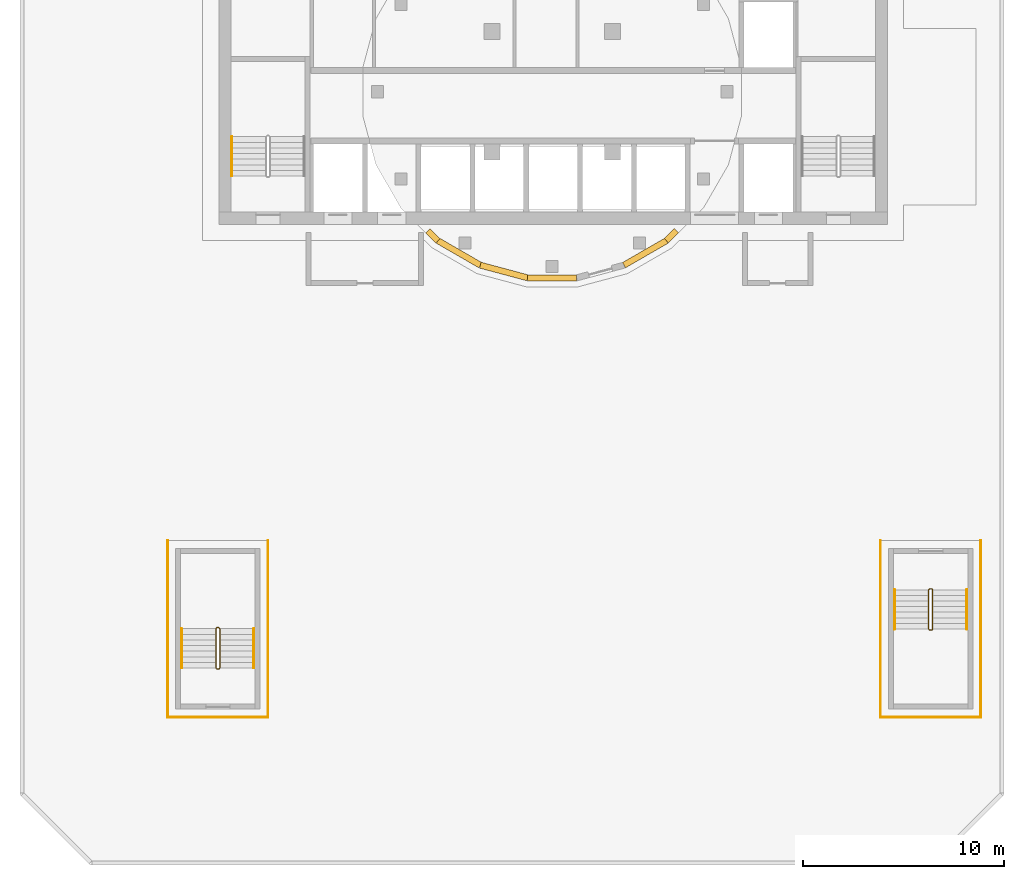
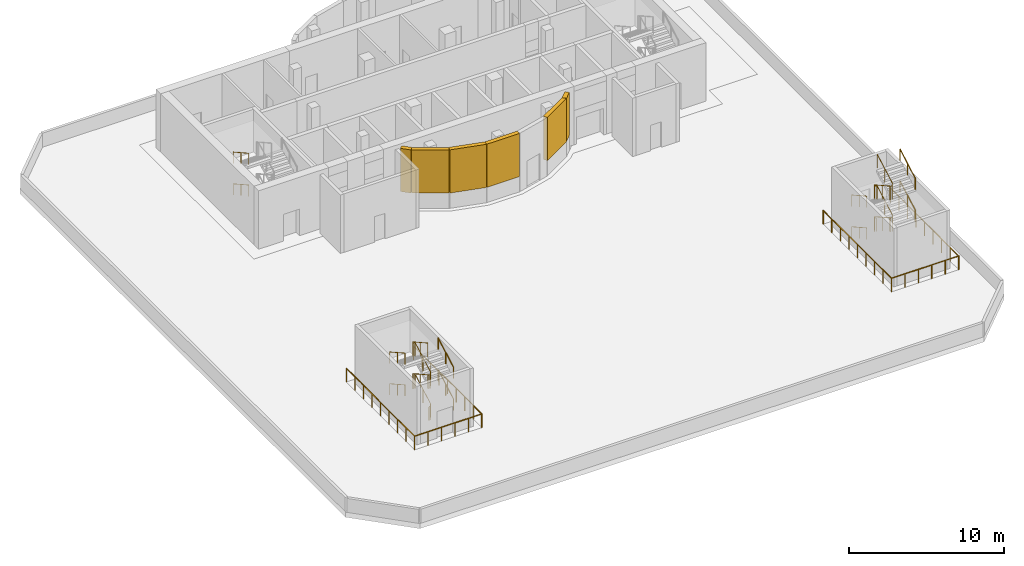
# One storey, part 6 of 7: 18 railings, 6 shading devices.
"""IFC4 building model written with IfcOpenShell, lengths in metres."""

from ifc_helpers import new_model, si_unit, direction, frame, origin, origin_2d, place, context, subcontext, project, spatial, rectangle, circle, extrude, source, transform, mapped, material, type_object, element, save


model = new_model("IFC4")

# Units and contexts
model_context = context("Model", 3, precision=1e-05, world=origin(), true_north=direction((0.0, 1.0)))
body_context = subcontext(model_context, "Body", "Model", "MODEL_VIEW")
ifc_project = project(units=[si_unit("LENGTHUNIT", "METRE"), si_unit("AREAUNIT", "SQUARE_METRE"), si_unit("VOLUMEUNIT", "CUBIC_METRE"), si_unit("PLANEANGLEUNIT", "RADIAN"), si_unit("MASSUNIT", "GRAM", prefix="KILO")], contexts=[model_context])

# Site, building, storey
site_placement = place(None, origin())
site = spatial("IfcSite", under=ifc_project, at=site_placement, CompositionType="ELEMENT")
building_placement = place(site_placement, origin())
building = spatial("IfcBuilding", under=site, at=building_placement, Name="Kilnfold Tower and Market Hall", CompositionType="ELEMENT")
storey_placement = place(building_placement, frame((0.0, 0.0, 318.800048828125)))
storey = spatial("IfcBuildingStorey", under=building, at=storey_placement, Name="L80 Crown Plant", CompositionType="ELEMENT", Elevation=318.800048828125)

# Railings
ifc_material_1 = material(Name="Stainless steel 316", Category="steel")
railing_type_1 = type_object("IfcRailingType", Name="CORE STAIR GUARD 1100", PredefinedType="GUARDRAIL", material=ifc_material_1)
railing_1_placement = place(storey_placement, frame((-15.699951171875, -13.75, 0.0)))
element("IfcRailing", 1, at=railing_1_placement, inside=storey, type_object=railing_type_1, Name="L80 Crown Plant ST3 stair guard 1", PredefinedType="GUARDRAIL", context=body_context, shape_type="SweptSolid", body=[
    extrude(circle(Radius=0.02392578125, at=origin_2d()), frame((0.0, 0.0, 1.076171875), z_axis=(1.0, 0.0, 0.0), x_axis=(0.0, 1.0, 0.0)), (0.0, 0.0, 1.0), 0.099853515625),
    extrude(circle(Radius=0.02392578125, at=origin_2d()), frame((0.099853515625, 0.0, 1.076171875), z_axis=(0.29177245553, 0.29177245553, 0.91089937336), x_axis=(-0.707106781187, 0.707106781187, 0.0)), (0.0, 0.0, 1.0), 0.171630859375),
    extrude(circle(Radius=0.02392578125, at=origin_2d()), frame((0.14990234375, 0.050048828125, 1.232421875), z_axis=(0.0, 0.873232148454, 0.487304437602), x_axis=(-1.0, 0.0, 0.0)), (0.0, 0.0, 1.0), 2.244384765625),
    extrude(circle(Radius=0.02392578125, at=origin_2d()), frame((0.14990234375, 2.010009765625, 2.326171875), z_axis=(-0.707106781187, 0.707106781187, 0.0), x_axis=(-0.707106781187, -0.707106781187, 0.0)), (0.0, 0.0, 1.0), 0.07080078125),
    extrude(circle(Radius=0.02392578125, at=origin_2d()), frame((0.099853515625, 2.06005859375, 2.326171875), z_axis=(-1.0, 0.0, 0.0), x_axis=(0.0, -1.0, 0.0)), (0.0, 0.0, 1.0), 0.099853515625),
    extrude(circle(Radius=0.02392578125, at=origin_2d()), frame((0.0, 2.06005859375, 2.326171875), z_axis=(-0.29177245553, -0.29177245553, 0.91089937336), x_axis=(0.707106781187, -0.707106781187, 0.0)), (0.0, 0.0, 1.0), 0.171630859375),
    extrude(circle(Radius=0.02392578125, at=origin_2d()), frame((-0.050048828125, 2.010009765625, 2.482421875), z_axis=(0.0, -0.873232148454, 0.487304437602), x_axis=(1.0, 0.0, 0.0)), (0.0, 0.0, 1.0), 2.244384765625),
    extrude(circle(Radius=0.02392578125, at=origin_2d()), frame((-0.050048828125, 0.050048828125, 3.576171875), z_axis=(0.707106781187, -0.707106781187, 0.0), x_axis=(0.707106781187, 0.707106781187, 0.0)), (0.0, 0.0, 1.0), 0.07080078125),
    extrude(circle(Radius=0.02392578125, at=origin_2d()), frame((0.0, 0.0, 3.576171875), z_axis=(1.0, 0.0, 0.0), x_axis=(0.0, 1.0, 0.0)), (0.0, 0.0, 1.0), 0.099853515625),
    extrude(circle(Radius=0.02392578125, at=origin_2d()), frame((0.099853515625, 0.0, 3.576171875), z_axis=(0.29177245553, 0.29177245553, 0.91089937336), x_axis=(-0.707106781187, 0.707106781187, 0.0)), (0.0, 0.0, 1.0), 0.171630859375),
    extrude(circle(Radius=0.02392578125, at=origin_2d()), frame((0.14990234375, 0.050048828125, 3.732421875), z_axis=(0.0, 0.873232148454, 0.487304437602), x_axis=(-1.0, 0.0, 0.0)), (0.0, 0.0, 1.0), 2.244384765625),
    extrude(circle(Radius=0.02392578125, at=origin_2d()), frame((0.14990234375, 2.010009765625, 4.826171875), z_axis=(-0.707106781187, 0.707106781187, 0.0), x_axis=(-0.707106781187, -0.707106781187, 0.0)), (0.0, 0.0, 1.0), 0.07080078125),
    extrude(circle(Radius=0.02392578125, at=origin_2d()), frame((0.099853515625, 2.06005859375, 4.826171875), z_axis=(-1.0, 0.0, 0.0), x_axis=(0.0, -1.0, 0.0)), (0.0, 0.0, 1.0), 0.099853515625),
    extrude(circle(Radius=0.02392578125, at=origin_2d()), frame((0.0, 2.06005859375, 4.826171875), z_axis=(-0.29177245553, -0.29177245553, 0.91089937336), x_axis=(0.707106781187, -0.707106781187, 0.0)), (0.0, 0.0, 1.0), 0.171630859375),
    extrude(circle(Radius=0.02392578125, at=origin_2d()), frame((-0.050048828125, 2.010009765625, 4.982421875), z_axis=(0.0, -0.873232148454, 0.487304437602), x_axis=(1.0, 0.0, 0.0)), (0.0, 0.0, 1.0), 2.244384765625),
    extrude(circle(Radius=0.02099609375, at=origin_2d()), origin(), (0.0, 0.0, 1.0), 1.052001953125),
    extrude(circle(Radius=0.02099609375, at=origin_2d()), frame((0.099853515625, 0.0, 0.0)), (0.0, 0.0, 1.0), 1.052001953125),
    extrude(circle(Radius=0.02099609375, at=origin_2d()), frame((0.14990234375, 0.050048828125, 0.15625)), (0.0, 0.0, 1.0), 1.052001953125),
    extrude(circle(Radius=0.02099609375, at=origin_2d()), frame((0.14990234375, 1.030029296875, 0.703125)), (0.0, 0.0, 1.0), 1.052001953125),
    extrude(circle(Radius=0.02099609375, at=origin_2d()), frame((0.14990234375, 2.010009765625, 1.25)), (0.0, 0.0, 1.0), 1.052001953125),
    extrude(circle(Radius=0.02099609375, at=origin_2d()), frame((0.099853515625, 2.06005859375, 1.25)), (0.0, 0.0, 1.0), 1.052001953125),
    extrude(circle(Radius=0.02099609375, at=origin_2d()), frame((0.0, 2.06005859375, 1.25)), (0.0, 0.0, 1.0), 1.052001953125),
    extrude(circle(Radius=0.02099609375, at=origin_2d()), frame((-0.050048828125, 2.010009765625, 1.40625)), (0.0, 0.0, 1.0), 1.052001953125),
    extrude(circle(Radius=0.02099609375, at=origin_2d()), frame((-0.050048828125, 1.030029296875, 1.953125)), (0.0, 0.0, 1.0), 1.052001953125),
    extrude(circle(Radius=0.02099609375, at=origin_2d()), frame((-0.050048828125, 0.050048828125, 2.5)), (0.0, 0.0, 1.0), 1.052001953125),
    extrude(circle(Radius=0.02099609375, at=origin_2d()), frame((0.0, 0.0, 2.5)), (0.0, 0.0, 1.0), 1.052001953125),
    extrude(circle(Radius=0.02099609375, at=origin_2d()), frame((0.099853515625, 0.0, 2.5)), (0.0, 0.0, 1.0), 1.052001953125),
    extrude(circle(Radius=0.02099609375, at=origin_2d()), frame((0.14990234375, 0.050048828125, 2.65625)), (0.0, 0.0, 1.0), 1.052001953125),
    extrude(circle(Radius=0.02099609375, at=origin_2d()), frame((0.14990234375, 1.030029296875, 3.203125)), (0.0, 0.0, 1.0), 1.052001953125),
    extrude(circle(Radius=0.02099609375, at=origin_2d()), frame((0.14990234375, 2.010009765625, 3.75)), (0.0, 0.0, 1.0), 1.052001953125),
    extrude(circle(Radius=0.02099609375, at=origin_2d()), frame((0.099853515625, 2.06005859375, 3.75)), (0.0, 0.0, 1.0), 1.052001953125),
    extrude(circle(Radius=0.02099609375, at=origin_2d()), frame((0.0, 2.06005859375, 3.75)), (0.0, 0.0, 1.0), 1.052001953125),
    extrude(circle(Radius=0.02099609375, at=origin_2d()), frame((-0.050048828125, 2.010009765625, 3.90625)), (0.0, 0.0, 1.0), 1.052001953125),
    extrude(circle(Radius=0.02099609375, at=origin_2d()), frame((-0.050048828125, 1.030029296875, 4.453125)), (0.0, 0.0, 1.0), 1.052001953125),
    extrude(circle(Radius=0.02099609375, at=origin_2d()), frame((-0.050048828125, 0.050048828125, 5.0)), (0.0, 0.0, 1.0), 1.052001953125),
])
railing_2_placement = place(storey_placement, frame((19.89990234375, -9.75, 0.0)))
element("IfcRailing", 2, at=railing_2_placement, inside=storey, type_object=railing_type_1, Name="L80 Crown Plant ST4 stair guard 1", PredefinedType="GUARDRAIL", context=body_context, shape_type="SweptSolid", body=[
    extrude(circle(Radius=0.02392578125, at=origin_2d()), frame((0.0, 0.0, 1.076171875), z_axis=(-1.0, 0.0, 0.0), x_axis=(0.0, -1.0, 0.0)), (0.0, 0.0, 1.0), 0.099853515625),
    extrude(circle(Radius=0.02392578125, at=origin_2d()), frame((-0.099853515625, 0.0, 1.076171875), z_axis=(-0.29177245553, -0.29177245553, 0.91089937336), x_axis=(0.707106781187, -0.707106781187, 0.0)), (0.0, 0.0, 1.0), 0.171630859375),
    extrude(circle(Radius=0.02392578125, at=origin_2d()), frame((-0.14990234375, -0.050048828125, 1.232421875), z_axis=(0.0, -0.873232148454, 0.487304437602), x_axis=(1.0, 0.0, 0.0)), (0.0, 0.0, 1.0), 2.244384765625),
    extrude(circle(Radius=0.02392578125, at=origin_2d()), frame((-0.14990234375, -2.010009765625, 2.326171875), z_axis=(0.707106781187, -0.707106781187, 0.0), x_axis=(0.707106781187, 0.707106781187, 0.0)), (0.0, 0.0, 1.0), 0.07080078125),
    extrude(circle(Radius=0.02392578125, at=origin_2d()), frame((-0.099853515625, -2.06005859375, 2.326171875), z_axis=(1.0, 0.0, 0.0), x_axis=(0.0, 1.0, 0.0)), (0.0, 0.0, 1.0), 0.099853515625),
    extrude(circle(Radius=0.02392578125, at=origin_2d()), frame((0.0, -2.06005859375, 2.326171875), z_axis=(0.29177245553, 0.29177245553, 0.91089937336), x_axis=(-0.707106781187, 0.707106781187, 0.0)), (0.0, 0.0, 1.0), 0.171630859375),
    extrude(circle(Radius=0.02392578125, at=origin_2d()), frame((0.050048828125, -2.010009765625, 2.482421875), z_axis=(0.0, 0.873232148454, 0.487304437602), x_axis=(-1.0, 0.0, 0.0)), (0.0, 0.0, 1.0), 2.244384765625),
    extrude(circle(Radius=0.02392578125, at=origin_2d()), frame((0.050048828125, -0.050048828125, 3.576171875), z_axis=(-0.707106781187, 0.707106781187, 0.0), x_axis=(-0.707106781187, -0.707106781187, 0.0)), (0.0, 0.0, 1.0), 0.07080078125),
    extrude(circle(Radius=0.02392578125, at=origin_2d()), frame((0.0, 0.0, 3.576171875), z_axis=(-1.0, 0.0, 0.0), x_axis=(0.0, -1.0, 0.0)), (0.0, 0.0, 1.0), 0.099853515625),
    extrude(circle(Radius=0.02392578125, at=origin_2d()), frame((-0.099853515625, 0.0, 3.576171875), z_axis=(-0.29177245553, -0.29177245553, 0.91089937336), x_axis=(0.707106781187, -0.707106781187, 0.0)), (0.0, 0.0, 1.0), 0.171630859375),
    extrude(circle(Radius=0.02392578125, at=origin_2d()), frame((-0.14990234375, -0.050048828125, 3.732421875), z_axis=(0.0, -0.873232148454, 0.487304437602), x_axis=(1.0, 0.0, 0.0)), (0.0, 0.0, 1.0), 2.244384765625),
    extrude(circle(Radius=0.02392578125, at=origin_2d()), frame((-0.14990234375, -2.010009765625, 4.826171875), z_axis=(0.707106781187, -0.707106781187, 0.0), x_axis=(0.707106781187, 0.707106781187, 0.0)), (0.0, 0.0, 1.0), 0.07080078125),
    extrude(circle(Radius=0.02392578125, at=origin_2d()), frame((-0.099853515625, -2.06005859375, 4.826171875), z_axis=(1.0, 0.0, 0.0), x_axis=(0.0, 1.0, 0.0)), (0.0, 0.0, 1.0), 0.099853515625),
    extrude(circle(Radius=0.02392578125, at=origin_2d()), frame((0.0, -2.06005859375, 4.826171875), z_axis=(0.29177245553, 0.29177245553, 0.91089937336), x_axis=(-0.707106781187, 0.707106781187, 0.0)), (0.0, 0.0, 1.0), 0.171630859375),
    extrude(circle(Radius=0.02392578125, at=origin_2d()), frame((0.050048828125, -2.010009765625, 4.982421875), z_axis=(0.0, 0.873232148454, 0.487304437602), x_axis=(-1.0, 0.0, 0.0)), (0.0, 0.0, 1.0), 2.244384765625),
    extrude(circle(Radius=0.02099609375, at=origin_2d()), origin(), (0.0, 0.0, 1.0), 1.052001953125),
    extrude(circle(Radius=0.02099609375, at=origin_2d()), frame((-0.099853515625, 0.0, 0.0)), (0.0, 0.0, 1.0), 1.052001953125),
    extrude(circle(Radius=0.02099609375, at=origin_2d()), frame((-0.14990234375, -0.050048828125, 0.15625)), (0.0, 0.0, 1.0), 1.052001953125),
    extrude(circle(Radius=0.02099609375, at=origin_2d()), frame((-0.14990234375, -1.030029296875, 0.703125)), (0.0, 0.0, 1.0), 1.052001953125),
    extrude(circle(Radius=0.02099609375, at=origin_2d()), frame((-0.14990234375, -2.010009765625, 1.25)), (0.0, 0.0, 1.0), 1.052001953125),
    extrude(circle(Radius=0.02099609375, at=origin_2d()), frame((-0.099853515625, -2.06005859375, 1.25)), (0.0, 0.0, 1.0), 1.052001953125),
    extrude(circle(Radius=0.02099609375, at=origin_2d()), frame((0.0, -2.06005859375, 1.25)), (0.0, 0.0, 1.0), 1.052001953125),
    extrude(circle(Radius=0.02099609375, at=origin_2d()), frame((0.050048828125, -2.010009765625, 1.40625)), (0.0, 0.0, 1.0), 1.052001953125),
    extrude(circle(Radius=0.02099609375, at=origin_2d()), frame((0.050048828125, -1.030029296875, 1.953125)), (0.0, 0.0, 1.0), 1.052001953125),
    extrude(circle(Radius=0.02099609375, at=origin_2d()), frame((0.050048828125, -0.050048828125, 2.5)), (0.0, 0.0, 1.0), 1.052001953125),
    extrude(circle(Radius=0.02099609375, at=origin_2d()), frame((0.0, 0.0, 2.5)), (0.0, 0.0, 1.0), 1.052001953125),
    extrude(circle(Radius=0.02099609375, at=origin_2d()), frame((-0.099853515625, 0.0, 2.5)), (0.0, 0.0, 1.0), 1.052001953125),
    extrude(circle(Radius=0.02099609375, at=origin_2d()), frame((-0.14990234375, -0.050048828125, 2.65625)), (0.0, 0.0, 1.0), 1.052001953125),
    extrude(circle(Radius=0.02099609375, at=origin_2d()), frame((-0.14990234375, -1.030029296875, 3.203125)), (0.0, 0.0, 1.0), 1.052001953125),
    extrude(circle(Radius=0.02099609375, at=origin_2d()), frame((-0.14990234375, -2.010009765625, 3.75)), (0.0, 0.0, 1.0), 1.052001953125),
    extrude(circle(Radius=0.02099609375, at=origin_2d()), frame((-0.099853515625, -2.06005859375, 3.75)), (0.0, 0.0, 1.0), 1.052001953125),
    extrude(circle(Radius=0.02099609375, at=origin_2d()), frame((0.0, -2.06005859375, 3.75)), (0.0, 0.0, 1.0), 1.052001953125),
    extrude(circle(Radius=0.02099609375, at=origin_2d()), frame((0.050048828125, -2.010009765625, 3.90625)), (0.0, 0.0, 1.0), 1.052001953125),
    extrude(circle(Radius=0.02099609375, at=origin_2d()), frame((0.050048828125, -1.030029296875, 4.453125)), (0.0, 0.0, 1.0), 1.052001953125),
    extrude(circle(Radius=0.02099609375, at=origin_2d()), frame((0.050048828125, -0.050048828125, 5.0)), (0.0, 0.0, 1.0), 1.052001953125),
])
ifc_material_2 = material(Name="Stainless steel 316", Category="steel")
railing_type_2 = type_object("IfcRailingType", Name="CORE STAIR HANDRAIL 900", PredefinedType="HANDRAIL", material=ifc_material_2)
for number, where, name in (
    (3, (-14.949951171875, 12.760009765625, 1.40625), "L80 Crown Plant ST1 stair handrail 2"),
    (4, (-14.949951171875, 12.760009765625, 3.90625), "L80 Crown Plant ST1 stair handrail 4"),
):
    element("IfcRailing", number, at=place(storey_placement, frame(where)), inside=storey, type_object=railing_type_2, Name=name, PredefinedType="HANDRAIL", context=body_context, shape_type="SweptSolid", body=[
        extrude(circle(Radius=0.02392578125, at=origin_2d()), frame((0.0, 0.0, 0.8759765625), z_axis=(0.0, -0.873232148454, 0.487304437602), x_axis=(1.0, 0.0, 0.0)), (0.0, 0.0, 1.0), 2.244384765625),
        extrude(circle(Radius=0.02099609375, at=origin_2d()), origin(), (0.0, 0.0, 1.0), 0.851806640625),
        extrude(circle(Radius=0.02099609375, at=origin_2d()), frame((0.0, -0.97998046875, 0.546875)), (0.0, 0.0, 1.0), 0.851806640625),
        extrude(circle(Radius=0.02099609375, at=origin_2d()), frame((0.0, -1.9599609375, 1.09375)), (0.0, 0.0, 1.0), 0.851806640625),
    ])
railing_3_placement = place(storey_placement, frame((-13.85009765625, -13.699951171875, 0.15625)))
element("IfcRailing", 5, at=railing_3_placement, inside=storey, type_object=railing_type_2, Name="L80 Crown Plant ST3 stair handrail 1", PredefinedType="HANDRAIL", context=body_context, shape_type="SweptSolid", body=[
    extrude(circle(Radius=0.02392578125, at=origin_2d()), frame((0.0, 0.0, 0.8759765625), z_axis=(0.0, 0.873232148454, 0.487304437602), x_axis=(-1.0, 0.0, 0.0)), (0.0, 0.0, 1.0), 2.244384765625),
    extrude(circle(Radius=0.02099609375, at=origin_2d()), origin(), (0.0, 0.0, 1.0), 0.851806640625),
    extrude(circle(Radius=0.02099609375, at=origin_2d()), frame((0.0, 0.97998046875, 0.546875)), (0.0, 0.0, 1.0), 0.851806640625),
    extrude(circle(Radius=0.02099609375, at=origin_2d()), frame((0.0, 1.9599609375, 1.09375)), (0.0, 0.0, 1.0), 0.851806640625),
])
railing_4_placement = place(storey_placement, frame((-17.449951171875, -11.739990234375, 1.40625)))
element("IfcRailing", 6, at=railing_4_placement, inside=storey, type_object=railing_type_2, Name="L80 Crown Plant ST3 stair handrail 2", PredefinedType="HANDRAIL", context=body_context, shape_type="SweptSolid", body=[
    extrude(circle(Radius=0.02392578125, at=origin_2d()), frame((0.0, 0.0, 0.8759765625), z_axis=(0.0, -0.873232148454, 0.487304437602), x_axis=(1.0, 0.0, 0.0)), (0.0, 0.0, 1.0), 2.244384765625),
    extrude(circle(Radius=0.02099609375, at=origin_2d()), origin(), (0.0, 0.0, 1.0), 0.851806640625),
    extrude(circle(Radius=0.02099609375, at=origin_2d()), frame((0.0, -0.97998046875, 0.546875)), (0.0, 0.0, 1.0), 0.851806640625),
    extrude(circle(Radius=0.02099609375, at=origin_2d()), frame((0.0, -1.9599609375, 1.09375)), (0.0, 0.0, 1.0), 0.851806640625),
])
railing_5_placement = place(storey_placement, frame((-13.85009765625, -13.699951171875, 2.65625)))
element("IfcRailing", 7, at=railing_5_placement, inside=storey, type_object=railing_type_2, Name="L80 Crown Plant ST3 stair handrail 3", PredefinedType="HANDRAIL", context=body_context, shape_type="SweptSolid", body=[
    extrude(circle(Radius=0.02392578125, at=origin_2d()), frame((0.0, 0.0, 0.8759765625), z_axis=(0.0, 0.873232148454, 0.487304437602), x_axis=(-1.0, 0.0, 0.0)), (0.0, 0.0, 1.0), 2.244384765625),
    extrude(circle(Radius=0.02099609375, at=origin_2d()), origin(), (0.0, 0.0, 1.0), 0.851806640625),
    extrude(circle(Radius=0.02099609375, at=origin_2d()), frame((0.0, 0.97998046875, 0.546875)), (0.0, 0.0, 1.0), 0.851806640625),
    extrude(circle(Radius=0.02099609375, at=origin_2d()), frame((0.0, 1.9599609375, 1.09375)), (0.0, 0.0, 1.0), 0.851806640625),
])
for number, where, name in (
    (8, (-17.449951171875, -11.739990234375, 3.90625), "L80 Crown Plant ST3 stair handrail 4"),
    (9, (18.050048828125, -9.800048828125, 0.15625), "L80 Crown Plant ST4 stair handrail 1"),
):
    element("IfcRailing", number, at=place(storey_placement, frame(where)), inside=storey, type_object=railing_type_2, Name=name, PredefinedType="HANDRAIL", context=body_context, shape_type="SweptSolid", body=[
        extrude(circle(Radius=0.02392578125, at=origin_2d()), frame((0.0, 0.0, 0.8759765625), z_axis=(0.0, -0.873232148454, 0.487304437602), x_axis=(1.0, 0.0, 0.0)), (0.0, 0.0, 1.0), 2.244384765625),
        extrude(circle(Radius=0.02099609375, at=origin_2d()), origin(), (0.0, 0.0, 1.0), 0.851806640625),
        extrude(circle(Radius=0.02099609375, at=origin_2d()), frame((0.0, -0.97998046875, 0.546875)), (0.0, 0.0, 1.0), 0.851806640625),
        extrude(circle(Radius=0.02099609375, at=origin_2d()), frame((0.0, -1.9599609375, 1.09375)), (0.0, 0.0, 1.0), 0.851806640625),
    ])
railing_6_placement = place(storey_placement, frame((21.64990234375, -11.760009765625, 1.40625)))
element("IfcRailing", 10, at=railing_6_placement, inside=storey, type_object=railing_type_2, Name="L80 Crown Plant ST4 stair handrail 2", PredefinedType="HANDRAIL", context=body_context, shape_type="SweptSolid", body=[
    extrude(circle(Radius=0.02392578125, at=origin_2d()), frame((0.0, 0.0, 0.8759765625), z_axis=(0.0, 0.873232148454, 0.487304437602), x_axis=(-1.0, 0.0, 0.0)), (0.0, 0.0, 1.0), 2.244384765625),
    extrude(circle(Radius=0.02099609375, at=origin_2d()), origin(), (0.0, 0.0, 1.0), 0.851806640625),
    extrude(circle(Radius=0.02099609375, at=origin_2d()), frame((0.0, 0.97998046875, 0.546875)), (0.0, 0.0, 1.0), 0.851806640625),
    extrude(circle(Radius=0.02099609375, at=origin_2d()), frame((0.0, 1.9599609375, 1.09375)), (0.0, 0.0, 1.0), 0.851806640625),
])
railing_7_placement = place(storey_placement, frame((18.050048828125, -9.800048828125, 2.65625)))
element("IfcRailing", 11, at=railing_7_placement, inside=storey, type_object=railing_type_2, Name="L80 Crown Plant ST4 stair handrail 3", PredefinedType="HANDRAIL", context=body_context, shape_type="SweptSolid", body=[
    extrude(circle(Radius=0.02392578125, at=origin_2d()), frame((0.0, 0.0, 0.8759765625), z_axis=(0.0, -0.873232148454, 0.487304437602), x_axis=(1.0, 0.0, 0.0)), (0.0, 0.0, 1.0), 2.244384765625),
    extrude(circle(Radius=0.02099609375, at=origin_2d()), origin(), (0.0, 0.0, 1.0), 0.851806640625),
    extrude(circle(Radius=0.02099609375, at=origin_2d()), frame((0.0, -0.97998046875, 0.546875)), (0.0, 0.0, 1.0), 0.851806640625),
    extrude(circle(Radius=0.02099609375, at=origin_2d()), frame((0.0, -1.9599609375, 1.09375)), (0.0, 0.0, 1.0), 0.851806640625),
])
railing_8_placement = place(storey_placement, frame((21.64990234375, -11.760009765625, 3.90625)))
element("IfcRailing", 12, at=railing_8_placement, inside=storey, type_object=railing_type_2, Name="L80 Crown Plant ST4 stair handrail 4", PredefinedType="HANDRAIL", context=body_context, shape_type="SweptSolid", body=[
    extrude(circle(Radius=0.02392578125, at=origin_2d()), frame((0.0, 0.0, 0.8759765625), z_axis=(0.0, 0.873232148454, 0.487304437602), x_axis=(-1.0, 0.0, 0.0)), (0.0, 0.0, 1.0), 2.244384765625),
    extrude(circle(Radius=0.02099609375, at=origin_2d()), origin(), (0.0, 0.0, 1.0), 0.851806640625),
    extrude(circle(Radius=0.02099609375, at=origin_2d()), frame((0.0, 0.97998046875, 0.546875)), (0.0, 0.0, 1.0), 0.851806640625),
    extrude(circle(Radius=0.02099609375, at=origin_2d()), frame((0.0, 1.9599609375, 1.09375)), (0.0, 0.0, 1.0), 0.851806640625),
])
ifc_material_3 = material(Name="Stainless steel 316", Category="steel")
railing_type_3 = type_object("IfcRailingType", Name="CROWN DECK GUARD 1100", PredefinedType="GUARDRAIL", material=ifc_material_3)
railing_9_placement = place(storey_placement, frame((-13.14990234375, -16.14990234375, 0.0)))
element("IfcRailing", 13, at=railing_9_placement, inside=storey, type_object=railing_type_3, Name="Crown deck guard", PredefinedType="GUARDRAIL", context=body_context, shape_type="SweptSolid", body=[
    extrude(circle(Radius=0.02392578125, at=origin_2d()), frame((0.0, 0.0, 1.076171875), z_axis=(-1.0, 0.0, 0.0), x_axis=(0.0, -1.0, 0.0)), (0.0, 0.0, 1.0), 5.0),
    extrude(circle(Radius=0.02099609375, at=origin_2d()), origin(), (0.0, 0.0, 1.0), 1.052001953125),
    extrude(circle(Radius=0.02099609375, at=origin_2d()), frame((-1.0, 0.0, 0.0)), (0.0, 0.0, 1.0), 1.052001953125),
    extrude(circle(Radius=0.02099609375, at=origin_2d()), frame((-2.0, 0.0, 0.0)), (0.0, 0.0, 1.0), 1.052001953125),
    extrude(circle(Radius=0.02099609375, at=origin_2d()), frame((-3.0, 0.0, 0.0)), (0.0, 0.0, 1.0), 1.052001953125),
    extrude(circle(Radius=0.02099609375, at=origin_2d()), frame((-4.0, 0.0, 0.0)), (0.0, 0.0, 1.0), 1.052001953125),
    extrude(circle(Radius=0.02099609375, at=origin_2d()), frame((-5.0, 0.0, 0.0)), (0.0, 0.0, 1.0), 1.052001953125),
])
railing_10_placement = place(storey_placement, frame((-18.14990234375, -16.14990234375, 0.0)))
element("IfcRailing", 14, at=railing_10_placement, inside=storey, type_object=railing_type_3, Name="Crown deck guard", PredefinedType="GUARDRAIL", context=body_context, shape_type="SweptSolid", body=[
    extrude(circle(Radius=0.02392578125, at=origin_2d()), frame((0.0, 0.0, 1.076171875), z_axis=(0.0, 1.0, 0.0), x_axis=(-1.0, 0.0, 0.0)), (0.0, 0.0, 1.0), 8.7998046875),
    extrude(circle(Radius=0.02099609375, at=origin_2d()), origin(), (0.0, 0.0, 1.0), 1.052001953125),
    extrude(circle(Radius=0.02099609375, at=origin_2d()), frame((0.0, 1.10009765625, 0.0)), (0.0, 0.0, 1.0), 1.052001953125),
    extrude(circle(Radius=0.02099609375, at=origin_2d()), frame((0.0, 2.199951171875, 0.0)), (0.0, 0.0, 1.0), 1.052001953125),
    extrude(circle(Radius=0.02099609375, at=origin_2d()), frame((0.0, 3.2998046875, 0.0)), (0.0, 0.0, 1.0), 1.052001953125),
    extrude(circle(Radius=0.02099609375, at=origin_2d()), frame((0.0, 4.39990234375, 0.0)), (0.0, 0.0, 1.0), 1.052001953125),
    extrude(circle(Radius=0.02099609375, at=origin_2d()), frame((0.0, 5.5, 0.0)), (0.0, 0.0, 1.0), 1.052001953125),
    extrude(circle(Radius=0.02099609375, at=origin_2d()), frame((0.0, 6.599853515625, 0.0)), (0.0, 0.0, 1.0), 1.052001953125),
    extrude(circle(Radius=0.02099609375, at=origin_2d()), frame((0.0, 7.69970703125, 0.0)), (0.0, 0.0, 1.0), 1.052001953125),
    extrude(circle(Radius=0.02099609375, at=origin_2d()), frame((0.0, 8.7998046875, 0.0)), (0.0, 0.0, 1.0), 1.052001953125),
])
railing_11_placement = place(storey_placement, frame((-13.14990234375, -7.35009765625, 0.0)))
element("IfcRailing", 15, at=railing_11_placement, inside=storey, type_object=railing_type_3, Name="Crown deck guard", PredefinedType="GUARDRAIL", context=body_context, shape_type="SweptSolid", body=[
    extrude(circle(Radius=0.02392578125, at=origin_2d()), frame((0.0, 0.0, 1.076171875), z_axis=(0.0, -1.0, 0.0), x_axis=(1.0, 0.0, 0.0)), (0.0, 0.0, 1.0), 8.7998046875),
    extrude(circle(Radius=0.02099609375, at=origin_2d()), origin(), (0.0, 0.0, 1.0), 1.052001953125),
    extrude(circle(Radius=0.02099609375, at=origin_2d()), frame((0.0, -1.10009765625, 0.0)), (0.0, 0.0, 1.0), 1.052001953125),
    extrude(circle(Radius=0.02099609375, at=origin_2d()), frame((0.0, -2.199951171875, 0.0)), (0.0, 0.0, 1.0), 1.052001953125),
    extrude(circle(Radius=0.02099609375, at=origin_2d()), frame((0.0, -3.2998046875, 0.0)), (0.0, 0.0, 1.0), 1.052001953125),
    extrude(circle(Radius=0.02099609375, at=origin_2d()), frame((0.0, -4.39990234375, 0.0)), (0.0, 0.0, 1.0), 1.052001953125),
    extrude(circle(Radius=0.02099609375, at=origin_2d()), frame((0.0, -5.5, 0.0)), (0.0, 0.0, 1.0), 1.052001953125),
    extrude(circle(Radius=0.02099609375, at=origin_2d()), frame((0.0, -6.599853515625, 0.0)), (0.0, 0.0, 1.0), 1.052001953125),
    extrude(circle(Radius=0.02099609375, at=origin_2d()), frame((0.0, -7.69970703125, 0.0)), (0.0, 0.0, 1.0), 1.052001953125),
    extrude(circle(Radius=0.02099609375, at=origin_2d()), frame((0.0, -8.7998046875, 0.0)), (0.0, 0.0, 1.0), 1.052001953125),
])
railing_12_placement = place(storey_placement, frame((17.35009765625, -16.14990234375, 0.0)))
element("IfcRailing", 16, at=railing_12_placement, inside=storey, type_object=railing_type_3, Name="Crown deck guard", PredefinedType="GUARDRAIL", context=body_context, shape_type="SweptSolid", body=[
    extrude(circle(Radius=0.02392578125, at=origin_2d()), frame((0.0, 0.0, 1.076171875), z_axis=(0.0, 1.0, 0.0), x_axis=(-1.0, 0.0, 0.0)), (0.0, 0.0, 1.0), 8.7998046875),
    extrude(circle(Radius=0.02099609375, at=origin_2d()), origin(), (0.0, 0.0, 1.0), 1.052001953125),
    extrude(circle(Radius=0.02099609375, at=origin_2d()), frame((0.0, 1.10009765625, 0.0)), (0.0, 0.0, 1.0), 1.052001953125),
    extrude(circle(Radius=0.02099609375, at=origin_2d()), frame((0.0, 2.199951171875, 0.0)), (0.0, 0.0, 1.0), 1.052001953125),
    extrude(circle(Radius=0.02099609375, at=origin_2d()), frame((0.0, 3.2998046875, 0.0)), (0.0, 0.0, 1.0), 1.052001953125),
    extrude(circle(Radius=0.02099609375, at=origin_2d()), frame((0.0, 4.39990234375, 0.0)), (0.0, 0.0, 1.0), 1.052001953125),
    extrude(circle(Radius=0.02099609375, at=origin_2d()), frame((0.0, 5.5, 0.0)), (0.0, 0.0, 1.0), 1.052001953125),
    extrude(circle(Radius=0.02099609375, at=origin_2d()), frame((0.0, 6.599853515625, 0.0)), (0.0, 0.0, 1.0), 1.052001953125),
    extrude(circle(Radius=0.02099609375, at=origin_2d()), frame((0.0, 7.69970703125, 0.0)), (0.0, 0.0, 1.0), 1.052001953125),
    extrude(circle(Radius=0.02099609375, at=origin_2d()), frame((0.0, 8.7998046875, 0.0)), (0.0, 0.0, 1.0), 1.052001953125),
])
railing_13_placement = place(storey_placement, frame((22.35009765625, -7.35009765625, 0.0)))
element("IfcRailing", 17, at=railing_13_placement, inside=storey, type_object=railing_type_3, Name="Crown deck guard", PredefinedType="GUARDRAIL", context=body_context, shape_type="SweptSolid", body=[
    extrude(circle(Radius=0.02392578125, at=origin_2d()), frame((0.0, 0.0, 1.076171875), z_axis=(0.0, -1.0, 0.0), x_axis=(1.0, 0.0, 0.0)), (0.0, 0.0, 1.0), 8.7998046875),
    extrude(circle(Radius=0.02099609375, at=origin_2d()), origin(), (0.0, 0.0, 1.0), 1.052001953125),
    extrude(circle(Radius=0.02099609375, at=origin_2d()), frame((0.0, -1.10009765625, 0.0)), (0.0, 0.0, 1.0), 1.052001953125),
    extrude(circle(Radius=0.02099609375, at=origin_2d()), frame((0.0, -2.199951171875, 0.0)), (0.0, 0.0, 1.0), 1.052001953125),
    extrude(circle(Radius=0.02099609375, at=origin_2d()), frame((0.0, -3.2998046875, 0.0)), (0.0, 0.0, 1.0), 1.052001953125),
    extrude(circle(Radius=0.02099609375, at=origin_2d()), frame((0.0, -4.39990234375, 0.0)), (0.0, 0.0, 1.0), 1.052001953125),
    extrude(circle(Radius=0.02099609375, at=origin_2d()), frame((0.0, -5.5, 0.0)), (0.0, 0.0, 1.0), 1.052001953125),
    extrude(circle(Radius=0.02099609375, at=origin_2d()), frame((0.0, -6.599853515625, 0.0)), (0.0, 0.0, 1.0), 1.052001953125),
    extrude(circle(Radius=0.02099609375, at=origin_2d()), frame((0.0, -7.69970703125, 0.0)), (0.0, 0.0, 1.0), 1.052001953125),
    extrude(circle(Radius=0.02099609375, at=origin_2d()), frame((0.0, -8.7998046875, 0.0)), (0.0, 0.0, 1.0), 1.052001953125),
])
railing_14_placement = place(storey_placement, frame((22.35009765625, -16.14990234375, 0.0)))
element("IfcRailing", 18, at=railing_14_placement, inside=storey, type_object=railing_type_3, Name="Crown deck guard", PredefinedType="GUARDRAIL", context=body_context, shape_type="SweptSolid", body=[
    extrude(circle(Radius=0.02392578125, at=origin_2d()), frame((0.0, 0.0, 1.076171875), z_axis=(-1.0, 0.0, 0.0), x_axis=(0.0, -1.0, 0.0)), (0.0, 0.0, 1.0), 5.0),
    extrude(circle(Radius=0.02099609375, at=origin_2d()), origin(), (0.0, 0.0, 1.0), 1.052001953125),
    extrude(circle(Radius=0.02099609375, at=origin_2d()), frame((-1.0, 0.0, 0.0)), (0.0, 0.0, 1.0), 1.052001953125),
    extrude(circle(Radius=0.02099609375, at=origin_2d()), frame((-2.0, 0.0, 0.0)), (0.0, 0.0, 1.0), 1.052001953125),
    extrude(circle(Radius=0.02099609375, at=origin_2d()), frame((-3.0, 0.0, 0.0)), (0.0, 0.0, 1.0), 1.052001953125),
    extrude(circle(Radius=0.02099609375, at=origin_2d()), frame((-4.0, 0.0, 0.0)), (0.0, 0.0, 1.0), 1.052001953125),
    extrude(circle(Radius=0.02099609375, at=origin_2d()), frame((-5.0, 0.0, 0.0)), (0.0, 0.0, 1.0), 1.052001953125),
])

# Shading devices
ifc_material_4 = material(Name="Anodised aluminium", Category="aluminium")
shading_device_type = type_object("IfcShadingDeviceType", Name="LOUVRE", PredefinedType="JALOUSIE", material=ifc_material_4)
shared_shape_1 = source(origin(), body_context, "Body", "SweptSolid", [
    extrude(rectangle(XDim=2.4404296875, YDim=0.300048828125, at=origin_2d()), origin(), (0.0, 0.0, 1.0), 3.39990234375),
])
for number, where, z_axis, x_axis, name in (
    (19, (1.0, 5.731201171875, 1.199951171875), (0.0, 0.0, 1.0), (1.0, 0.0, 0.0), "Plant louvre L80 1"),
    (20, (5.63427734375, 6.972900390625, 1.199951171875), (0.0, 0.0, 1.0), (0.866021040428, 0.500007557478, 0.0), "Plant louvre L80 3"),
    (21, (-3.63427734375, 6.972900390625, 1.199951171875), (0.0, 0.0, 1.0), (0.866021040428, -0.500007557478, 0.0), "Plant louvre L80 23"),
    (22, (-1.39892578125, 6.047119140625, 1.199951171875), (0.0, 0.0, 1.0), (0.965933053504, -0.258792071264, 0.0), "Plant louvre L80 24"),
):
    element("IfcShadingDevice", number, at=place(storey_placement, frame(where, z_axis=z_axis, x_axis=x_axis)), inside=storey, type_object=shading_device_type, Name=name, ObjectType="LOUVRE", PredefinedType="JALOUSIE", context=body_context, shape_type="MappedRepresentation", body=[
        mapped(shared_shape_1, transform((0.0, 0.0, 0.0))),
    ])
shared_shape_2 = source(origin(), body_context, "Body", "SweptSolid", [
    extrude(rectangle(XDim=0.697021484375, YDim=0.300048828125, at=origin_2d()), origin(), (0.0, 0.0, 1.0), 3.39990234375),
])
for number, where, z_axis, x_axis, name in (
    (23, (6.9375, 7.82958984375, 1.199951171875), (0.0, 0.0, 1.0), (0.707106781187, 0.707106781187, 0.0), "Plant louvre L80 4"),
    (24, (-4.9375, 7.82958984375, 1.199951171875), (0.0, 0.0, 1.0), (0.707106781187, -0.707106781187, 0.0), "Plant louvre L80 22"),
):
    element("IfcShadingDevice", number, at=place(storey_placement, frame(where, z_axis=z_axis, x_axis=x_axis)), inside=storey, type_object=shading_device_type, Name=name, ObjectType="LOUVRE", PredefinedType="JALOUSIE", context=body_context, shape_type="MappedRepresentation", body=[
        mapped(shared_shape_2, transform((0.0, 0.0, 0.0))),
    ])

save(model, "model.ifc")
